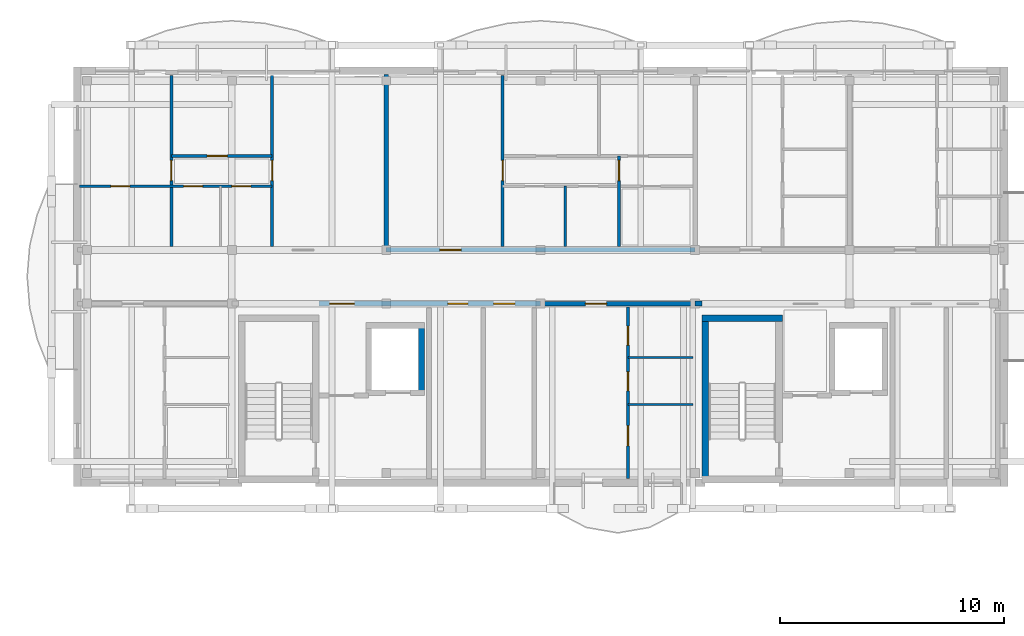
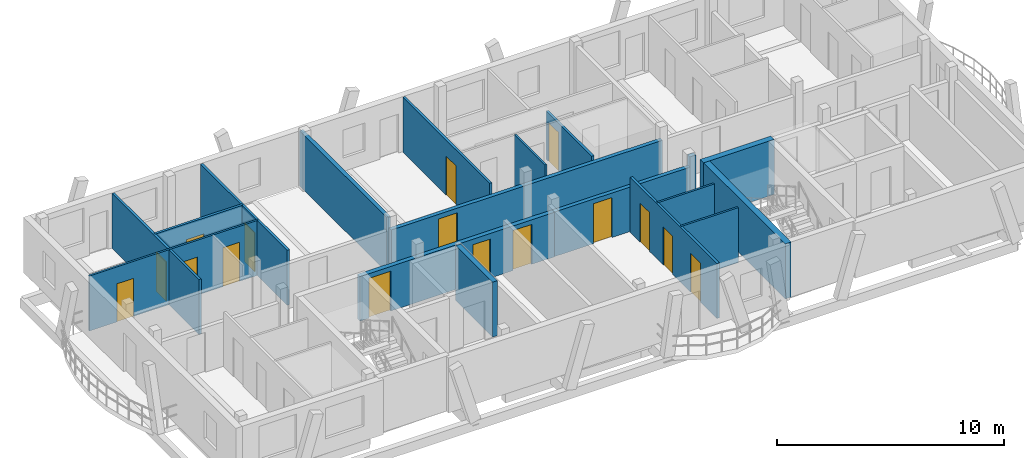
# One storey, part 15 of 29: 18 walls, 16 doors, 16 openings.
"""IFC4 building model written with IfcOpenShell, lengths in metres."""

from ifc_helpers import new_model, si_unit, direction, frame, frame_2d, origin, origin_with_axes, place, context, subcontext, project, spatial, rectangle, extrude, material, layer, layer_set, type_object, element, fill, save


model = new_model("IFC4")

# Units and contexts
model_context = context("Model", 3, precision=1e-05, world=origin(), true_north=direction((0.0, 1.0)))
body_context = subcontext(model_context, "Body", "Model", "MODEL_VIEW")
ifc_project = project(units=[si_unit("LENGTHUNIT", "METRE"), si_unit("AREAUNIT", "SQUARE_METRE"), si_unit("VOLUMEUNIT", "CUBIC_METRE"), si_unit("PLANEANGLEUNIT", "RADIAN"), si_unit("MASSUNIT", "GRAM", prefix="KILO")], contexts=[model_context])

# Site, building, storey
site_placement = place(None, origin())
site = spatial("IfcSite", under=ifc_project, at=site_placement, CompositionType="ELEMENT")
building_placement = place(site_placement, origin())
building = spatial("IfcBuilding", under=site, at=building_placement, Name="Zavelmont Quarter", CompositionType="ELEMENT")
storey_placement = place(building_placement, frame((0.0, 0.0, 33.60009765625)))
storey = spatial("IfcBuildingStorey", under=building, at=storey_placement, Name="L10", CompositionType="ELEMENT", Elevation=33.60009765625)

# Wall
ifc_material_1 = material(Name="Calcium-silicate blockwork and acoustic plaster", Category="masonry")
ifc_layer_1 = layer(ifc_material_1, 0.199951171875)
ifc_layer_set_1 = layer_set([ifc_layer_1], Name="Calcium-silicate blockwork and acoustic plaster")
wall_type_1 = type_object("IfcWallType", Name="IW01", PredefinedType="PARTITIONING", material=ifc_layer_set_1)
wall_1_placement = place(storey_placement, frame((13.800048828125, 108.14990234375, 0.0), z_axis=(0.0, 0.0, 1.0), x_axis=(0.0, 1.0, 0.0)))
element("IfcWall", 1, at=wall_1_placement, inside=storey, type_object=wall_type_1, Name="L10 Inter-dwelling compartment wall IW01", PredefinedType="PARTITIONING", context=body_context, shape_type="SweptSolid", body=[
    extrude(rectangle(XDim=7.7001953125, YDim=0.199951171875, at=frame_2d((3.85009765625, 0.0))), origin(), (0.0, 0.0, 1.0), 2.9599609375),
])

# Wall, opening, door
wall_2_placement = place(storey_placement, frame((13.800048828125, 108.0, 0.0), z_axis=(0.0, 0.0, 1.0), x_axis=(1.0, 0.0, 0.0)))
wall_2 = element("IfcWall", 2, at=wall_2_placement, inside=storey, type_object=wall_type_1, Name="L10 Corridor compartment wall IW01", PredefinedType="PARTITIONING", context=body_context, shape_type="SweptSolid", body=[
    extrude(rectangle(XDim=13.800048828125, YDim=0.199951171875, at=frame_2d((6.89990234375, 0.0))), origin(), (0.0, 0.0, 1.0), 2.39990234375),
])
opening_1_placement = place(wall_2_placement, frame((2.39990234375, 0.0, 0.0)))
opening_1 = element("IfcOpeningElement", 3, at=opening_1_placement, cuts=wall_2, Name="Opening DR02", PredefinedType="OPENING", context=body_context, shape_type="SweptSolid", body=[
    extrude(rectangle(XDim=0.949951171875, YDim=2.14990234375, at=frame_2d((0.47509765625, 1.074951171875))), frame((0.0, 0.11181640625, 0.0), z_axis=(0.0, -1.0, 0.0), x_axis=(1.0, 0.0, 0.0)), (0.0, 0.0, 1.0), 0.223876953125),
])
ifc_material_2 = material(Name="Solid-core oak fire leaf in steel frame", Category="steel")
door_type_1 = type_object("IfcDoorType", Name="DR02", OperationType="NOTDEFINED", PredefinedType="DOOR", material=ifc_material_2)
door_1_placement = place(opening_1_placement, origin_with_axes())
door_1 = element("IfcDoor", 4, at=door_1_placement, inside=storey, type_object=door_type_1, Name="L10 door DR02", OperationType="SINGLE_SWING_LEFT", OverallHeight=2.14990234375, OverallWidth=0.949951171875, PredefinedType="DOOR", context=body_context, shape_type="SweptSolid", body=[
    extrude(rectangle(XDim=0.949951171875, YDim=2.14990234375, at=frame_2d((0.47509765625, 1.074951171875))), frame((0.0, 0.02490234375, 0.0), z_axis=(0.0, -1.0, 0.0), x_axis=(1.0, 0.0, 0.0)), (0.0, 0.0, 1.0), 0.050048828125),
])
fill(opening_1, door_1)

wall_3_placement = place(storey_placement, frame((20.699951171875, 105.60009765625, 0.0), z_axis=(0.0, 0.0, 1.0), x_axis=(1.0, 0.0, 0.0)))
wall_3 = element("IfcWall", 5, at=wall_3_placement, inside=storey, type_object=wall_type_1, Name="L10 Corridor compartment wall IW01", PredefinedType="PARTITIONING", context=body_context, shape_type="SweptSolid", body=[
    extrude(rectangle(XDim=6.900146484375, YDim=0.199951171875, at=frame_2d((3.4501953125, 0.0))), origin(), (0.0, 0.0, 1.0), 2.39990234375),
])
opening_2_placement = place(wall_3_placement, frame((2.0, 0.0, 0.0)))
opening_2 = element("IfcOpeningElement", 6, at=opening_2_placement, cuts=wall_3, Name="Opening DR02", PredefinedType="OPENING", context=body_context, shape_type="SweptSolid", body=[
    extrude(rectangle(XDim=0.949951171875, YDim=2.14990234375, at=frame_2d((0.47509765625, 1.074951171875))), frame((0.0, 0.11181640625, 0.0), z_axis=(0.0, -1.0, 0.0), x_axis=(1.0, 0.0, 0.0)), (0.0, 0.0, 1.0), 0.223876953125),
])
door_2_placement = place(opening_2_placement, frame((0.949951171875, 0.0, 0.0), z_axis=(0.0, 0.0, 1.0), x_axis=(-1.0, 0.0, 0.0)))
door_2 = element("IfcDoor", 7, at=door_2_placement, inside=storey, type_object=door_type_1, Name="L10 door DR02", OperationType="SINGLE_SWING_RIGHT", OverallHeight=2.14990234375, OverallWidth=0.949951171875, PredefinedType="DOOR", context=body_context, shape_type="SweptSolid", body=[
    extrude(rectangle(XDim=0.949951171875, YDim=2.14990234375, at=frame_2d((0.47509765625, 1.074951171875))), frame((0.0, 0.02490234375, 0.0), z_axis=(0.0, -1.0, 0.0), x_axis=(1.0, 0.0, 0.0)), (0.0, 0.0, 1.0), 0.050048828125),
])
fill(opening_2, door_2)

# Wall, openings, doors
ifc_material_3 = material(Name="Reinforced masonry fire compartment wall", Category="masonry")
ifc_layer_2 = layer(ifc_material_3, 0.22509765625)
ifc_layer_set_2 = layer_set([ifc_layer_2], Name="Reinforced masonry fire compartment wall")
wall_type_2 = type_object("IfcWallType", Name="IW02", PredefinedType="PARTITIONING", material=ifc_layer_set_2)
wall_4_placement = place(storey_placement, frame((10.800048828125, 105.60009765625, 0.0), z_axis=(0.0, 0.0, 1.0), x_axis=(1.0, 0.0, 0.0)))
wall_4 = element("IfcWall", 8, at=wall_4_placement, inside=storey, type_object=wall_type_2, Name="L10 Core corridor fire wall IW02", PredefinedType="PARTITIONING", context=body_context, shape_type="SweptSolid", body=[
    extrude(rectangle(XDim=9.89990234375, YDim=0.22509765625, at=frame_2d((4.949951171875, 0.0))), origin(), (0.0, 0.0, 1.0), 2.39990234375),
])
opening_3_placement = place(wall_4_placement, frame((0.47509765625, 0.0, 0.0)))
opening_3 = element("IfcOpeningElement", 9, at=opening_3_placement, cuts=wall_4, Name="Opening DR10", PredefinedType="OPENING", context=body_context, shape_type="SweptSolid", body=[
    extrude(rectangle(XDim=1.10009765625, YDim=2.14990234375, at=frame_2d((0.550048828125, 1.074951171875))), frame((0.0, 0.12451171875, 0.0), z_axis=(0.0, -1.0, 0.0), x_axis=(1.0, 0.0, 0.0)), (0.0, 0.0, 1.0), 0.2490234375),
])
opening_4_placement = place(wall_4_placement, frame((5.75, 0.0, 0.0)))
opening_4 = element("IfcOpeningElement", 10, at=opening_4_placement, cuts=wall_4, Name="Opening DR11", PredefinedType="OPENING", context=body_context, shape_type="SweptSolid", body=[
    extrude(rectangle(XDim=0.89990234375, YDim=2.10009765625, at=frame_2d((0.449951171875, 1.050048828125))), frame((0.0, 0.12451171875, 0.0), z_axis=(0.0, -1.0, 0.0), x_axis=(1.0, 0.0, 0.0)), (0.0, 0.0, 1.0), 0.2490234375),
])
opening_5_placement = place(wall_4_placement, frame((7.800048828125, 0.0, 0.0)))
opening_5 = element("IfcOpeningElement", 11, at=opening_5_placement, cuts=wall_4, Name="Opening DR02", PredefinedType="OPENING", context=body_context, shape_type="SweptSolid", body=[
    extrude(rectangle(XDim=0.949951171875, YDim=2.14990234375, at=frame_2d((0.47509765625, 1.074951171875))), frame((0.0, 0.12451171875, 0.0), z_axis=(0.0, -1.0, 0.0), x_axis=(1.0, 0.0, 0.0)), (0.0, 0.0, 1.0), 0.2490234375),
])
door_3_placement = place(opening_5_placement, origin_with_axes())
door_3 = element("IfcDoor", 12, at=door_3_placement, inside=storey, type_object=door_type_1, Name="Auxiliary store corridor door", OperationType="SINGLE_SWING_RIGHT", OverallHeight=2.14990234375, OverallWidth=0.949951171875, PredefinedType="DOOR", context=body_context, shape_type="SweptSolid", body=[
    extrude(rectangle(XDim=0.949951171875, YDim=2.14990234375, at=frame_2d((0.47509765625, 1.074951171875))), frame((0.0, 0.02490234375, 0.0), z_axis=(0.0, -1.0, 0.0), x_axis=(1.0, 0.0, 0.0)), (0.0, 0.0, 1.0), 0.050048828125),
])
fill(opening_5, door_3)
ifc_material_4 = material(Name="Painted steel lobby fire door", Category="steel")
door_type_2 = type_object("IfcDoorType", Name="DR10", OperationType="NOTDEFINED", PredefinedType="DOOR", material=ifc_material_4)
door_4_placement = place(opening_3_placement, frame((1.10009765625, 0.0, 0.0), z_axis=(0.0, 0.0, 1.0), x_axis=(-1.0, 0.0, 0.0)))
door_4 = element("IfcDoor", 13, at=door_4_placement, inside=storey, type_object=door_type_2, Name="Core vestibule fire door", OperationType="SINGLE_SWING_LEFT", OverallHeight=2.14990234375, OverallWidth=1.10009765625, PredefinedType="DOOR", context=body_context, shape_type="SweptSolid", body=[
    extrude(rectangle(XDim=1.10009765625, YDim=2.14990234375, at=frame_2d((0.550048828125, 1.074951171875))), frame((0.0, 0.02490234375, 0.0), z_axis=(0.0, -1.0, 0.0), x_axis=(1.0, 0.0, 0.0)), (0.0, 0.0, 1.0), 0.050048828125),
])
fill(opening_3, door_4)
ifc_material_5 = material(Name="Painted steel service-riser fire door", Category="steel")
door_type_3 = type_object("IfcDoorType", Name="DR11", OperationType="NOTDEFINED", PredefinedType="DOOR", material=ifc_material_5)
door_5_placement = place(opening_4_placement, origin_with_axes())
door_5 = element("IfcDoor", 14, at=door_5_placement, inside=storey, type_object=door_type_3, Name="Service riser fire door", OperationType="SINGLE_SWING_LEFT", OverallHeight=2.10009765625, OverallWidth=0.89990234375, PredefinedType="DOOR", context=body_context, shape_type="SweptSolid", body=[
    extrude(rectangle(XDim=0.89990234375, YDim=2.10009765625, at=frame_2d((0.449951171875, 1.050048828125))), frame((0.0, 0.02490234375, 0.0), z_axis=(0.0, -1.0, 0.0), x_axis=(1.0, 0.0, 0.0)), (0.0, 0.0, 1.0), 0.050048828125),
])
fill(opening_4, door_5)

# Wall
wall_5_placement = place(storey_placement, frame((27.60009765625, 105.60009765625, 0.0), z_axis=(0.0, 0.0, 1.0), x_axis=(1.0, 0.0, 0.0)))
element("IfcWall", 15, at=wall_5_placement, inside=storey, type_object=wall_type_2, Name="L10 Core corridor wall IW02", PredefinedType="PARTITIONING", context=body_context, shape_type="SweptSolid", body=[
    extrude(rectangle(XDim=0.2998046875, YDim=0.22509765625, at=frame_2d((0.14990234375, 0.0))), origin(), (0.0, 0.0, 1.0), 2.9599609375),
])

# Wall, opening, door
ifc_material_6 = material(Name="Double gypsum board on acoustic steel stud", Category="steel")
ifc_layer_3 = layer(ifc_material_6, 0.125)
ifc_layer_set_3 = layer_set([ifc_layer_3], Name="Double gypsum board on acoustic steel stud")
wall_type_3 = type_object("IfcWallType", Name="IW03", PredefinedType="PARTITIONING", material=ifc_layer_set_3)
wall_6_placement = place(storey_placement, frame((8.699951171875, 108.14990234375, 0.0), z_axis=(0.0, 0.0, 1.0), x_axis=(0.0, 1.0, 0.0)))
wall_6 = element("IfcWall", 16, at=wall_6_placement, inside=storey, type_object=wall_type_3, Name="L10 Partition IW03", PredefinedType="PARTITIONING", context=body_context, shape_type="SweptSolid", body=[
    extrude(rectangle(XDim=7.650146484375, YDim=0.125, at=frame_2d((3.8251953125, 0.0))), origin(), (0.0, 0.0, 1.0), 2.9599609375),
])
opening_6_placement = place(wall_6_placement, frame((2.949951171875, 0.0, 0.0)))
opening_6 = element("IfcOpeningElement", 17, at=opening_6_placement, cuts=wall_6, Name="Opening DR05", PredefinedType="OPENING", context=body_context, shape_type="SweptSolid", body=[
    extrude(rectangle(XDim=0.89990234375, YDim=2.10009765625, at=frame_2d((0.449951171875, 1.050048828125))), frame((0.0, 0.074462890625, 0.0), z_axis=(0.0, -1.0, 0.0), x_axis=(1.0, 0.0, 0.0)), (0.0, 0.0, 1.0), 0.14892578125),
])
ifc_material_7 = material(Name="Engineered oak flush interior door")
door_type_4 = type_object("IfcDoorType", Name="DR05", OperationType="NOTDEFINED", PredefinedType="DOOR", material=ifc_material_7)
door_6_placement = place(opening_6_placement, origin_with_axes())
door_6 = element("IfcDoor", 18, at=door_6_placement, inside=storey, type_object=door_type_4, Name="L10 door DR05", OperationType="SINGLE_SWING_LEFT", OverallHeight=2.10009765625, OverallWidth=0.89990234375, PredefinedType="DOOR", context=body_context, shape_type="SweptSolid", body=[
    extrude(rectangle(XDim=0.89990234375, YDim=2.10009765625, at=frame_2d((0.449951171875, 1.050048828125))), frame((0.0, 0.02490234375, 0.0), z_axis=(0.0, -1.0, 0.0), x_axis=(1.0, 0.0, 0.0)), (0.0, 0.0, 1.0), 0.050048828125),
])
fill(opening_6, door_6)

wall_7_placement = place(storey_placement, frame((4.199951171875, 108.14990234375, 0.0), z_axis=(0.0, 0.0, 1.0), x_axis=(0.0, 1.0, 0.0)))
wall_7 = element("IfcWall", 19, at=wall_7_placement, inside=storey, type_object=wall_type_3, Name="L10 Partition IW03", PredefinedType="PARTITIONING", context=body_context, shape_type="SweptSolid", body=[
    extrude(rectangle(XDim=7.650146484375, YDim=0.125, at=frame_2d((3.8251953125, 0.0))), origin(), (0.0, 0.0, 1.0), 2.9599609375),
])
opening_7_placement = place(wall_7_placement, frame((2.949951171875, 0.0, 0.0)))
opening_7 = element("IfcOpeningElement", 20, at=opening_7_placement, cuts=wall_7, Name="Opening DR05", PredefinedType="OPENING", context=body_context, shape_type="SweptSolid", body=[
    extrude(rectangle(XDim=0.89990234375, YDim=2.10009765625, at=frame_2d((0.449951171875, 1.050048828125))), frame((0.0, 0.074462890625, 0.0), z_axis=(0.0, -1.0, 0.0), x_axis=(1.0, 0.0, 0.0)), (0.0, 0.0, 1.0), 0.14892578125),
])
door_7_placement = place(opening_7_placement, frame((0.89990234375, 0.0, 0.0), z_axis=(0.0, 0.0, 1.0), x_axis=(-1.0, 0.0, 0.0)))
door_7 = element("IfcDoor", 21, at=door_7_placement, inside=storey, type_object=door_type_4, Name="L10 door DR05", OperationType="SINGLE_SWING_RIGHT", OverallHeight=2.10009765625, OverallWidth=0.89990234375, PredefinedType="DOOR", context=body_context, shape_type="SweptSolid", body=[
    extrude(rectangle(XDim=0.89990234375, YDim=2.10009765625, at=frame_2d((0.449951171875, 1.050048828125))), frame((0.0, 0.02490234375, 0.0), z_axis=(0.0, -1.0, 0.0), x_axis=(1.0, 0.0, 0.0)), (0.0, 0.0, 1.0), 0.050048828125),
])
fill(opening_7, door_7)

wall_8_placement = place(storey_placement, frame((4.199951171875, 112.199951171875, 0.0), z_axis=(0.0, 0.0, 1.0), x_axis=(1.0, 0.0, 0.0)))
wall_8 = element("IfcWall", 22, at=wall_8_placement, inside=storey, type_object=wall_type_3, Name="L10 Partition IW03", PredefinedType="PARTITIONING", context=body_context, shape_type="SweptSolid", body=[
    extrude(rectangle(XDim=4.5, YDim=0.125, at=frame_2d((2.25, 0.0))), origin(), (0.0, 0.0, 1.0), 2.9599609375),
])
opening_8_placement = place(wall_8_placement, frame((1.60009765625, 0.0, 0.0)))
opening_8 = element("IfcOpeningElement", 23, at=opening_8_placement, cuts=wall_8, Name="Opening DR05", PredefinedType="OPENING", context=body_context, shape_type="SweptSolid", body=[
    extrude(rectangle(XDim=0.89990234375, YDim=2.10009765625, at=frame_2d((0.449951171875, 1.050048828125))), frame((0.0, 0.074462890625, 0.0), z_axis=(0.0, -1.0, 0.0), x_axis=(1.0, 0.0, 0.0)), (0.0, 0.0, 1.0), 0.14892578125),
])
door_8_placement = place(opening_8_placement, frame((0.89990234375, 0.0, 0.0), z_axis=(0.0, 0.0, 1.0), x_axis=(-1.0, 0.0, 0.0)))
door_8 = element("IfcDoor", 24, at=door_8_placement, inside=storey, type_object=door_type_4, Name="L10 door DR05", OperationType="SINGLE_SWING_RIGHT", OverallHeight=2.10009765625, OverallWidth=0.89990234375, PredefinedType="DOOR", context=body_context, shape_type="SweptSolid", body=[
    extrude(rectangle(XDim=0.89990234375, YDim=2.10009765625, at=frame_2d((0.449951171875, 1.050048828125))), frame((0.0, 0.02490234375, 0.0), z_axis=(0.0, -1.0, 0.0), x_axis=(1.0, 0.0, 0.0)), (0.0, 0.0, 1.0), 0.050048828125),
])
fill(opening_8, door_8)

wall_9_placement = place(storey_placement, frame((19.0, 108.14990234375, 0.0), z_axis=(0.0, 0.0, 1.0), x_axis=(0.0, 1.0, 0.0)))
wall_9 = element("IfcWall", 25, at=wall_9_placement, inside=storey, type_object=wall_type_3, Name="L10 Partition IW03", PredefinedType="PARTITIONING", context=body_context, shape_type="SweptSolid", body=[
    extrude(rectangle(XDim=7.650146484375, YDim=0.125, at=frame_2d((3.8251953125, 0.0))), origin(), (0.0, 0.0, 1.0), 2.9599609375),
])
opening_9_placement = place(wall_9_placement, frame((2.949951171875, 0.0, 0.0)))
opening_9 = element("IfcOpeningElement", 26, at=opening_9_placement, cuts=wall_9, Name="Opening DR05", PredefinedType="OPENING", context=body_context, shape_type="SweptSolid", body=[
    extrude(rectangle(XDim=0.89990234375, YDim=2.10009765625, at=frame_2d((0.449951171875, 1.050048828125))), frame((0.0, 0.074462890625, 0.0), z_axis=(0.0, -1.0, 0.0), x_axis=(1.0, 0.0, 0.0)), (0.0, 0.0, 1.0), 0.14892578125),
])
door_9_placement = place(opening_9_placement, frame((0.89990234375, 0.0, 0.0), z_axis=(0.0, 0.0, 1.0), x_axis=(-1.0, 0.0, 0.0)))
door_9 = element("IfcDoor", 27, at=door_9_placement, inside=storey, type_object=door_type_4, Name="L10 door DR05", OperationType="SINGLE_SWING_LEFT", OverallHeight=2.10009765625, OverallWidth=0.89990234375, PredefinedType="DOOR", context=body_context, shape_type="SweptSolid", body=[
    extrude(rectangle(XDim=0.89990234375, YDim=2.10009765625, at=frame_2d((0.449951171875, 1.050048828125))), frame((0.0, 0.02490234375, 0.0), z_axis=(0.0, -1.0, 0.0), x_axis=(1.0, 0.0, 0.0)), (0.0, 0.0, 1.0), 0.050048828125),
])
fill(opening_9, door_9)

wall_10_placement = place(storey_placement, frame((24.199951171875, 108.14990234375, 0.0), z_axis=(0.0, 0.0, 1.0), x_axis=(0.0, 1.0, 0.0)))
wall_10 = element("IfcWall", 28, at=wall_10_placement, inside=storey, type_object=wall_type_3, Name="L10 Partition IW03", PredefinedType="PARTITIONING", context=body_context, shape_type="SweptSolid", body=[
    extrude(rectangle(XDim=4.050048828125, YDim=0.125, at=frame_2d((2.02490234375, 0.0))), origin(), (0.0, 0.0, 1.0), 2.58984375),
])
opening_10_placement = place(wall_10_placement, frame((2.949951171875, 0.0, 0.0)))
opening_10 = element("IfcOpeningElement", 29, at=opening_10_placement, cuts=wall_10, Name="Opening DR05", PredefinedType="OPENING", context=body_context, shape_type="SweptSolid", body=[
    extrude(rectangle(XDim=0.89990234375, YDim=2.10009765625, at=frame_2d((0.449951171875, 1.050048828125))), frame((0.0, 0.074462890625, 0.0), z_axis=(0.0, -1.0, 0.0), x_axis=(1.0, 0.0, 0.0)), (0.0, 0.0, 1.0), 0.14892578125),
])
door_10_placement = place(opening_10_placement, origin_with_axes())
door_10 = element("IfcDoor", 30, at=door_10_placement, inside=storey, type_object=door_type_4, Name="L10 door DR05", OperationType="SINGLE_SWING_RIGHT", OverallHeight=2.10009765625, OverallWidth=0.89990234375, PredefinedType="DOOR", context=body_context, shape_type="SweptSolid", body=[
    extrude(rectangle(XDim=0.89990234375, YDim=2.10009765625, at=frame_2d((0.449951171875, 1.050048828125))), frame((0.0, 0.02490234375, 0.0), z_axis=(0.0, -1.0, 0.0), x_axis=(1.0, 0.0, 0.0)), (0.0, 0.0, 1.0), 0.050048828125),
])
fill(opening_10, door_10)

# Wall, openings, doors
wall_11_placement = place(storey_placement, frame((24.60009765625, 105.449951171875, 0.0), z_axis=(0.0, 0.0, 1.0), x_axis=(0.0, -1.0, 0.0)))
wall_11 = element("IfcWall", 31, at=wall_11_placement, inside=storey, type_object=wall_type_3, Name="L10 Partition IW03", PredefinedType="PARTITIONING", context=body_context, shape_type="SweptSolid", body=[
    extrude(rectangle(XDim=7.64990234375, YDim=0.125, at=frame_2d((3.824951171875, 0.0))), origin(), (0.0, 0.0, 1.0), 2.9599609375),
])
opening_11_placement = place(wall_11_placement, frame((0.85009765625, 0.0, 0.0)))
opening_11 = element("IfcOpeningElement", 32, at=opening_11_placement, cuts=wall_11, Name="Opening DR16", PredefinedType="OPENING", context=body_context, shape_type="SweptSolid", body=[
    extrude(rectangle(XDim=0.85009765625, YDim=2.10009765625, at=frame_2d((0.425048828125, 1.050048828125))), frame((0.0, 0.074462890625, 0.0), z_axis=(0.0, -1.0, 0.0), x_axis=(1.0, 0.0, 0.0)), (0.0, 0.0, 1.0), 0.14892578125),
])
opening_12_placement = place(wall_11_placement, frame((2.89990234375, 0.0, 0.0)))
opening_12 = element("IfcOpeningElement", 33, at=opening_12_placement, cuts=wall_11, Name="Opening DR06", PredefinedType="OPENING", context=body_context, shape_type="SweptSolid", body=[
    extrude(rectangle(XDim=0.85009765625, YDim=2.050048828125, at=frame_2d((0.425048828125, 1.02490234375))), frame((0.0, 0.074462890625, 0.0), z_axis=(0.0, -1.0, 0.0), x_axis=(1.0, 0.0, 0.0)), (0.0, 0.0, 1.0), 0.14892578125),
])
opening_13_placement = place(wall_11_placement, frame((5.300048828125, 0.0, 0.0)))
opening_13 = element("IfcOpeningElement", 34, at=opening_13_placement, cuts=wall_11, Name="Opening DR05", PredefinedType="OPENING", context=body_context, shape_type="SweptSolid", body=[
    extrude(rectangle(XDim=0.89990234375, YDim=2.10009765625, at=frame_2d((0.449951171875, 1.050048828125))), frame((0.0, 0.074462890625, 0.0), z_axis=(0.0, -1.0, 0.0), x_axis=(1.0, 0.0, 0.0)), (0.0, 0.0, 1.0), 0.14892578125),
])
door_11_placement = place(opening_13_placement, frame((0.89990234375, 0.0, 0.0), z_axis=(0.0, 0.0, 1.0), x_axis=(-1.0, 0.0, 0.0)))
door_11 = element("IfcDoor", 35, at=door_11_placement, inside=storey, type_object=door_type_4, Name="L10 door DR05", OperationType="SINGLE_SWING_RIGHT", OverallHeight=2.10009765625, OverallWidth=0.89990234375, PredefinedType="DOOR", context=body_context, shape_type="SweptSolid", body=[
    extrude(rectangle(XDim=0.89990234375, YDim=2.10009765625, at=frame_2d((0.449951171875, 1.050048828125))), frame((0.0, 0.02490234375, 0.0), z_axis=(0.0, -1.0, 0.0), x_axis=(1.0, 0.0, 0.0)), (0.0, 0.0, 1.0), 0.050048828125),
])
fill(opening_13, door_11)
ifc_material_8 = material(Name="Moisture-resistant painted wet-room door")
door_type_5 = type_object("IfcDoorType", Name="DR06", OperationType="NOTDEFINED", PredefinedType="DOOR", material=ifc_material_8)
door_12_placement = place(opening_12_placement, origin_with_axes())
door_12 = element("IfcDoor", 36, at=door_12_placement, inside=storey, type_object=door_type_5, Name="L10 door DR06", OperationType="SINGLE_SWING_LEFT", OverallHeight=2.050048828125, OverallWidth=0.85009765625, PredefinedType="DOOR", context=body_context, shape_type="SweptSolid", body=[
    extrude(rectangle(XDim=0.85009765625, YDim=2.050048828125, at=frame_2d((0.425048828125, 1.02490234375))), frame((0.0, 0.02490234375, 0.0), z_axis=(0.0, -1.0, 0.0), x_axis=(1.0, 0.0, 0.0)), (0.0, 0.0, 1.0), 0.050048828125),
])
fill(opening_12, door_12)
door_type_6 = type_object("IfcDoorType", Name="DR16", OperationType="NOTDEFINED", PredefinedType="DOOR", material=ifc_material_7)
door_13_placement = place(opening_11_placement, frame((0.85009765625, 0.0, 0.0), z_axis=(0.0, 0.0, 1.0), x_axis=(-1.0, 0.0, 0.0)))
door_13 = element("IfcDoor", 37, at=door_13_placement, inside=storey, type_object=door_type_6, Name="L10 door DR16", OperationType="SINGLE_SWING_RIGHT", OverallHeight=2.10009765625, OverallWidth=0.85009765625, PredefinedType="DOOR", context=body_context, shape_type="SweptSolid", body=[
    extrude(rectangle(XDim=0.85009765625, YDim=2.10009765625, at=frame_2d((0.425048828125, 1.050048828125))), frame((0.0, 0.02490234375, 0.0), z_axis=(0.0, -1.0, 0.0), x_axis=(1.0, 0.0, 0.0)), (0.0, 0.0, 1.0), 0.050048828125),
])
fill(opening_11, door_13)

ifc_material_9 = material(Name="Moisture-resistant gypsum board on steel stud", Category="steel")
ifc_layer_4 = layer(ifc_material_9, 0.10009765625)
ifc_layer_set_4 = layer_set([ifc_layer_4], Name="Moisture-resistant gypsum board on steel stud")
wall_type_4 = type_object("IfcWallType", Name="IW04", PredefinedType="PARTITIONING", material=ifc_layer_set_4)
wall_12_placement = place(storey_placement, frame((0.10009765625, 110.85009765625, 0.0), z_axis=(0.0, 0.0, 1.0), x_axis=(1.0, 0.0, 0.0)))
wall_12 = element("IfcWall", 38, at=wall_12_placement, inside=storey, type_object=wall_type_4, Name="L10 Partition IW04", PredefinedType="PARTITIONING", context=body_context, shape_type="SweptSolid", body=[
    extrude(rectangle(XDim=8.599853515625, YDim=0.10009765625, at=frame_2d((4.2998046875, 0.0))), origin(), (0.0, 0.0, 1.0), 2.9599609375),
])
opening_14_placement = place(wall_12_placement, frame((1.39990234375, 0.0, 0.0)))
opening_14 = element("IfcOpeningElement", 39, at=opening_14_placement, cuts=wall_12, Name="Opening DR06", PredefinedType="OPENING", context=body_context, shape_type="SweptSolid", body=[
    extrude(rectangle(XDim=0.85009765625, YDim=2.050048828125, at=frame_2d((0.425048828125, 1.02490234375))), frame((0.0, 0.06201171875, 0.0), z_axis=(0.0, -1.0, 0.0), x_axis=(1.0, 0.0, 0.0)), (0.0, 0.0, 1.0), 0.1240234375),
])
opening_15_placement = place(wall_12_placement, frame((4.64990234375, 0.0, 0.0)))
opening_15 = element("IfcOpeningElement", 40, at=opening_15_placement, cuts=wall_12, Name="Opening DR06", PredefinedType="OPENING", context=body_context, shape_type="SweptSolid", body=[
    extrude(rectangle(XDim=0.85009765625, YDim=2.050048828125, at=frame_2d((0.425048828125, 1.02490234375))), frame((0.0, 0.06201171875, 0.0), z_axis=(0.0, -1.0, 0.0), x_axis=(1.0, 0.0, 0.0)), (0.0, 0.0, 1.0), 0.1240234375),
])
opening_16_placement = place(wall_12_placement, frame((6.800048828125, 0.0, 0.0)))
opening_16 = element("IfcOpeningElement", 41, at=opening_16_placement, cuts=wall_12, Name="Opening DR16", PredefinedType="OPENING", context=body_context, shape_type="SweptSolid", body=[
    extrude(rectangle(XDim=0.85009765625, YDim=2.10009765625, at=frame_2d((0.425048828125, 1.050048828125))), frame((0.0, 0.06201171875, 0.0), z_axis=(0.0, -1.0, 0.0), x_axis=(1.0, 0.0, 0.0)), (0.0, 0.0, 1.0), 0.1240234375),
])
door_14_placement = place(opening_14_placement, origin_with_axes())
door_14 = element("IfcDoor", 42, at=door_14_placement, inside=storey, type_object=door_type_5, Name="L10 door DR06", OperationType="SINGLE_SWING_LEFT", OverallHeight=2.050048828125, OverallWidth=0.85009765625, PredefinedType="DOOR", context=body_context, shape_type="SweptSolid", body=[
    extrude(rectangle(XDim=0.85009765625, YDim=2.050048828125, at=frame_2d((0.425048828125, 1.02490234375))), frame((0.0, 0.02490234375, 0.0), z_axis=(0.0, -1.0, 0.0), x_axis=(1.0, 0.0, 0.0)), (0.0, 0.0, 1.0), 0.050048828125),
])
fill(opening_14, door_14)
door_15_placement = place(opening_15_placement, frame((0.85009765625, 0.0, 0.0), z_axis=(0.0, 0.0, 1.0), x_axis=(-1.0, 0.0, 0.0)))
door_15 = element("IfcDoor", 43, at=door_15_placement, inside=storey, type_object=door_type_5, Name="L10 door DR06", OperationType="SINGLE_SWING_RIGHT", OverallHeight=2.050048828125, OverallWidth=0.85009765625, PredefinedType="DOOR", context=body_context, shape_type="SweptSolid", body=[
    extrude(rectangle(XDim=0.85009765625, YDim=2.050048828125, at=frame_2d((0.425048828125, 1.02490234375))), frame((0.0, 0.02490234375, 0.0), z_axis=(0.0, -1.0, 0.0), x_axis=(1.0, 0.0, 0.0)), (0.0, 0.0, 1.0), 0.050048828125),
])
fill(opening_15, door_15)
door_16_placement = place(opening_16_placement, origin_with_axes())
door_16 = element("IfcDoor", 44, at=door_16_placement, inside=storey, type_object=door_type_6, Name="L10 door DR16", OperationType="SINGLE_SWING_LEFT", OverallHeight=2.10009765625, OverallWidth=0.85009765625, PredefinedType="DOOR", context=body_context, shape_type="SweptSolid", body=[
    extrude(rectangle(XDim=0.85009765625, YDim=2.10009765625, at=frame_2d((0.425048828125, 1.050048828125))), frame((0.0, 0.02490234375, 0.0), z_axis=(0.0, -1.0, 0.0), x_axis=(1.0, 0.0, 0.0)), (0.0, 0.0, 1.0), 0.050048828125),
])
fill(opening_16, door_16)

# Walls
wall_13_placement = place(storey_placement, frame((21.800048828125, 108.14990234375, 0.0), z_axis=(0.0, 0.0, 1.0), x_axis=(0.0, 1.0, 0.0)))
element("IfcWall", 45, at=wall_13_placement, inside=storey, type_object=wall_type_4, Name="L10 Partition IW04", PredefinedType="PARTITIONING", context=body_context, shape_type="SweptSolid", body=[
    extrude(rectangle(XDim=2.7001953125, YDim=0.10009765625, at=frame_2d((1.35009765625, 0.0))), origin(), (0.0, 0.0, 1.0), 2.9599609375),
])
for number, where, z_axis, x_axis, name in (
    (46, (24.60009765625, 103.199951171875, 0.0), (0.0, 0.0, 1.0), (1.0, 0.0, 0.0), "L10 Partition IW04"),
    (47, (24.60009765625, 101.10009765625, 0.0), (0.0, 0.0, 1.0), (1.0, 0.0, 0.0), "L10 Partition IW04"),
):
    element("IfcWall", number, at=place(storey_placement, frame(where, z_axis=z_axis, x_axis=x_axis)), inside=storey, type_object=wall_type_4, Name=name, PredefinedType="PARTITIONING", context=body_context, shape_type="SweptSolid", body=[
        extrude(rectangle(XDim=2.89990234375, YDim=0.10009765625, at=frame_2d((1.449951171875, 0.0))), origin(), (0.0, 0.0, 1.0), 2.9599609375),
    ])
ifc_material_10 = material(Name="Concrete C40/50", Category="concrete")
ifc_layer_5 = layer(ifc_material_10, 0.300048828125)
ifc_layer_set_5 = layer_set([ifc_layer_5], Name="Concrete C40/50")
wall_type_5 = type_object("IfcWallType", Name="SW01", PredefinedType="SHEAR", material=ifc_layer_set_5)
wall_14_placement = place(storey_placement, frame((27.89990234375, 104.949951171875, 0.0), z_axis=(0.0, 0.0, 1.0), x_axis=(1.0, 0.0, 0.0)))
element("IfcWall", 48, at=wall_14_placement, inside=storey, type_object=wall_type_5, Name="L10 ST04 corridor shear wall SW01", PredefinedType="SHEAR", context=body_context, shape_type="SweptSolid", body=[
    extrude(rectangle(XDim=3.60009765625, YDim=0.300048828125, at=frame_2d((1.800048828125, 0.0))), origin(), (0.0, 0.0, 1.0), 2.9599609375),
])
wall_15_placement = place(storey_placement, frame((28.050048828125, 97.60009765625, 0.0), z_axis=(0.0, 0.0, 1.0), x_axis=(0.0, 1.0, 0.0)))
element("IfcWall", 49, at=wall_15_placement, inside=storey, type_object=wall_type_5, Name="L10 ST04 west shear wall SW01", PredefinedType="SHEAR", context=body_context, shape_type="SweptSolid", body=[
    extrude(rectangle(XDim=7.5, YDim=0.300048828125, at=frame_2d((3.75, 0.0))), origin(), (0.0, 0.0, 1.0), 2.9599609375),
])
ifc_layer_6 = layer(ifc_material_10, 0.25)
ifc_layer_set_6 = layer_set([ifc_layer_6], Name="Concrete C40/50")
wall_type_6 = type_object("IfcWallType", Name="SW02", PredefinedType="SHEAR", material=ifc_layer_set_6)
wall_16_placement = place(storey_placement, frame((15.375, 101.5, 0.0), z_axis=(0.0, 0.0, 1.0), x_axis=(0.0, 1.0, 0.0)))
element("IfcWall", 50, at=wall_16_placement, inside=storey, type_object=wall_type_6, Name="L10 Lift FL02 east shaft wall SW02", PredefinedType="SHEAR", context=body_context, shape_type="SweptSolid", body=[
    extrude(rectangle(XDim=3.25, YDim=0.25, at=frame_2d((1.625, 0.0))), origin(), (0.0, 0.0, 1.0), 2.9599609375),
])

save(model, "model.ifc")
